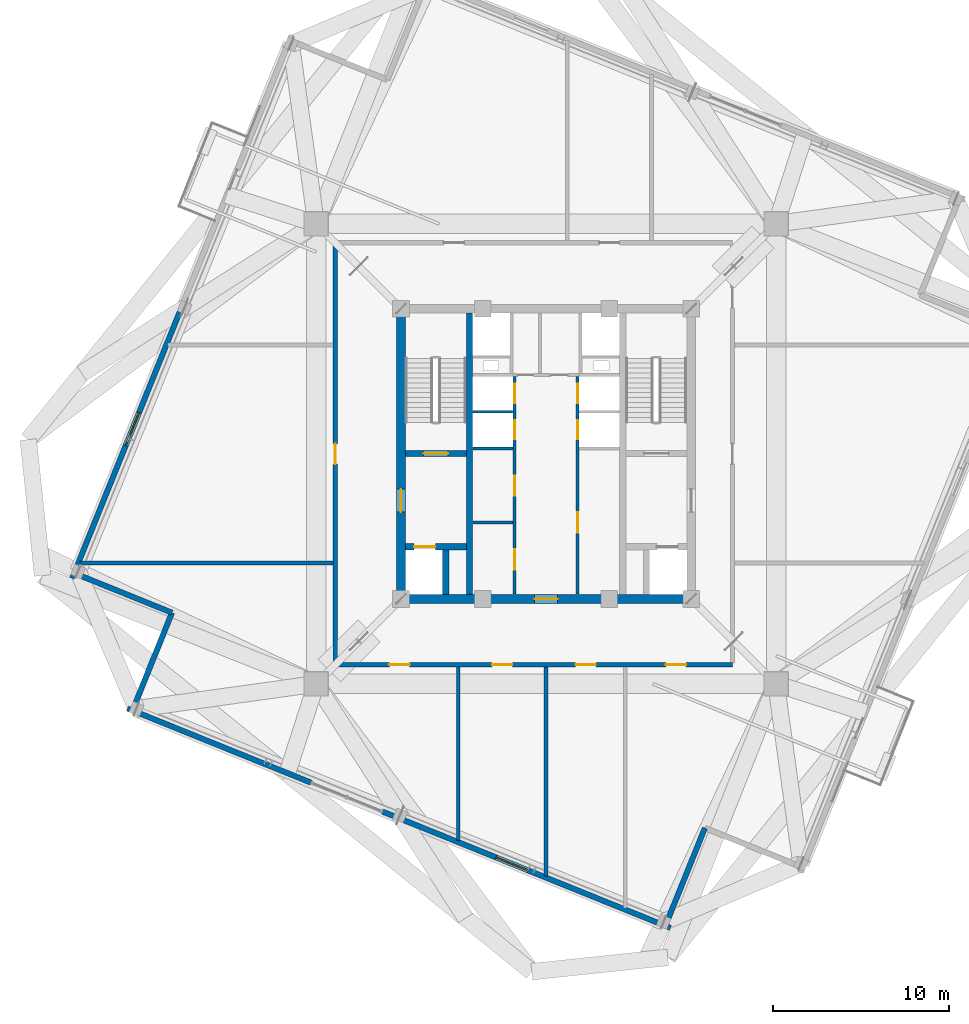
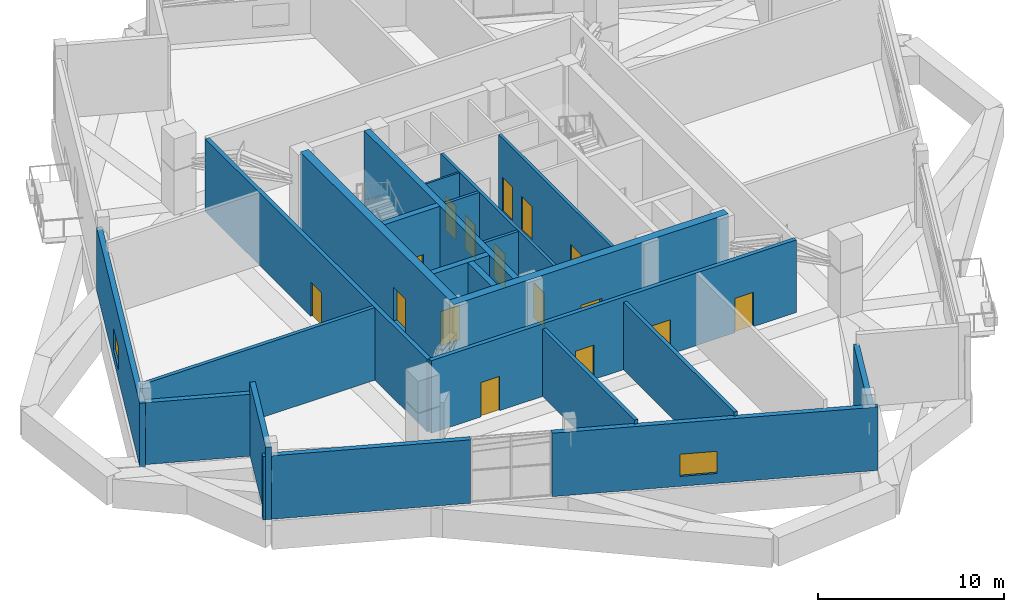
# One storey, part 15 of 20: 22 walls, 16 doors, 2 windows, 18 openings.
"""IFC4 building model written with IfcOpenShell, lengths in metres."""

from ifc_helpers import new_model, si_unit, direction, frame, frame_2d, origin, place, context, subcontext, project, spatial, rectangle, extrude, source, transform, mapped, material, layer, layer_set, type_object, element, fill, save


model = new_model("IFC4")

# Units and contexts
model_context = context("Model", 3, precision=1e-05, world=origin(), true_north=direction((0.0, 1.0)))
body_context = subcontext(model_context, "Body", "Model", "MODEL_VIEW")
ifc_project = project(units=[si_unit("LENGTHUNIT", "METRE"), si_unit("AREAUNIT", "SQUARE_METRE"), si_unit("VOLUMEUNIT", "CUBIC_METRE"), si_unit("PLANEANGLEUNIT", "RADIAN"), si_unit("MASSUNIT", "GRAM", prefix="KILO"), si_unit("THERMODYNAMICTEMPERATUREUNIT", "KELVIN")], contexts=[model_context])

# Site, building, storey
site_placement = place(None, origin())
site = spatial("IfcSite", under=ifc_project, at=site_placement, CompositionType="ELEMENT")
building_placement = place(site_placement, origin())
building = spatial("IfcBuilding", under=site, at=building_placement, Name="Kosmvard Interchange Tower", CompositionType="ELEMENT")
storey_placement = place(building_placement, frame((0.0, 0.0, 260.199951171875)))
storey = spatial("IfcBuildingStorey", under=building, at=storey_placement, Name="L63", CompositionType="ELEMENT", Elevation=260.199951171875)

# Wall, openings, doors
ifc_material_1 = material(Name="Fire-rated gypsum partition system")
ifc_layer_1 = layer(ifc_material_1, 0.179931640625, Name="Fire-rated gypsum partition system")
ifc_layer_set_1 = layer_set([ifc_layer_1], Name="Fire-rated gypsum partition system")
wall_type_1 = type_object("IfcWallType", Name="Corridor & Hotel Compartment Partition 180", PredefinedType="PARTITIONING", material=ifc_layer_set_1)
wall_1_placement = place(storey_placement, frame((-1.7900390625, -7.97998046875, 0.0), z_axis=(0.0, 0.0, 1.0), x_axis=(0.0, 1.0, 0.0)))
wall_1 = element("IfcWall", 1, at=wall_1_placement, inside=storey, type_object=wall_type_1, Name="L63 West Lift Bank Front Wall", PredefinedType="PARTITIONING", context=body_context, shape_type="SweptSolid", body=[
    extrude(rectangle(XDim=12.3798828125, YDim=0.179931640625, at=frame_2d((6.18994140625, 0.0))), origin(), (0.0, 0.0, 1.0), 4.75),
])
opening_1_placement = place(wall_1_placement, frame((8.800048828125, 0.0, 0.0)))
opening_1 = element("IfcOpeningElement", 2, at=opening_1_placement, cuts=wall_1, Name="Opening LD-PL-H1-L63", PredefinedType="OPENING", context=body_context, shape_type="SweptSolid", body=[
    extrude(rectangle(XDim=1.10009765625, YDim=2.199951171875, at=frame_2d((0.550048828125, 1.10009765625))), frame((0.0, 0.10009765625, 0.0), z_axis=(0.0, -1.0, 0.0), x_axis=(1.0, 0.0, 0.0)), (0.0, 0.0, 1.0), 0.199951171875),
])
opening_2_placement = place(wall_1_placement, frame((10.860107421875, 0.0, 0.0)))
opening_2 = element("IfcOpeningElement", 3, at=opening_2_placement, cuts=wall_1, Name="Opening LD-PL-H2-L63", PredefinedType="OPENING", context=body_context, shape_type="SweptSolid", body=[
    extrude(rectangle(XDim=1.10009765625, YDim=2.199951171875, at=frame_2d((0.550048828125, 1.10009765625))), frame((0.0, 0.10009765625, 0.0), z_axis=(0.0, -1.0, 0.0), x_axis=(1.0, 0.0, 0.0)), (0.0, 0.0, 1.0), 0.199951171875),
])
opening_3_placement = place(wall_1_placement, frame((1.39990234375, 0.0, 0.0)))
opening_3 = element("IfcOpeningElement", 4, at=opening_3_placement, cuts=wall_1, Name="Opening L63-CD1", PredefinedType="OPENING", context=body_context, shape_type="SweptSolid", body=[
    extrude(rectangle(XDim=1.14990234375, YDim=2.25, at=frame_2d((0.574951171875, 1.125))), frame((0.0, 0.10009765625, 0.0), z_axis=(0.0, -1.0, 0.0), x_axis=(1.0, 0.0, 0.0)), (0.0, 0.0, 1.0), 0.199951171875),
])
opening_4_placement = place(wall_1_placement, frame((5.60009765625, 0.0, 0.0)))
opening_4 = element("IfcOpeningElement", 5, at=opening_4_placement, cuts=wall_1, Name="Opening L63-CD2", PredefinedType="OPENING", context=body_context, shape_type="SweptSolid", body=[
    extrude(rectangle(XDim=1.14990234375, YDim=2.25, at=frame_2d((0.574951171875, 1.125))), frame((0.0, 0.10009765625, 0.0), z_axis=(0.0, -1.0, 0.0), x_axis=(1.0, 0.0, 0.0)), (0.0, 0.0, 1.0), 0.199951171875),
])
ifc_material_2 = material(Name="Painted fire-rated steel leaf", Category="steel")
door_type_1 = type_object("IfcDoorType", Name="Plant & Riser Fire Door 1150x2250 EI60", OperationType="NOTDEFINED", PredefinedType="DOOR", material=ifc_material_2)
shared_shape_1 = source(origin(), body_context, "Body", "SweptSolid", [
    extrude(rectangle(XDim=1.14990234375, YDim=2.25, at=frame_2d((0.574951171875, 1.125))), frame((0.0, 0.02490234375, 0.0), z_axis=(0.0, -1.0, 0.0), x_axis=(1.0, 0.0, 0.0)), (0.0, 0.0, 1.0), 0.050048828125),
])
door_1_placement = place(opening_3_placement, origin())
door_1 = element("IfcDoor", 6, at=door_1_placement, inside=storey, type_object=door_type_1, Name="L63 Core Archive Door", OperationType="SINGLE_SWING_LEFT", OverallHeight=2.25, OverallWidth=1.14990234375, PredefinedType="DOOR", context=body_context, shape_type="MappedRepresentation", body=[
    mapped(shared_shape_1, transform((0.0, 0.0, 0.0), scale=1.0)),
])
fill(opening_3, door_1)
door_2_placement = place(opening_4_placement, origin())
door_2 = element("IfcDoor", 7, at=door_2_placement, inside=storey, type_object=door_type_1, Name="L63 Mid Core Housekeeping Door", OperationType="SINGLE_SWING_RIGHT", OverallHeight=2.25, OverallWidth=1.14990234375, PredefinedType="DOOR", context=body_context, shape_type="MappedRepresentation", body=[
    mapped(shared_shape_1, transform((0.0, 0.0, 0.0), scale=1.0)),
])
fill(opening_4, door_2)
ifc_material_3 = material(Name="Brushed stainless steel sliding leaf", Category="steel")
door_type_2 = type_object("IfcDoorType", Name="Passenger Lift Sliding Landing Door 1100x2200 EI60", OperationType="DOUBLE_DOOR_SLIDING", PredefinedType="DOOR", material=ifc_material_3)
shared_shape_2 = source(origin(), body_context, "Body", "SweptSolid", [
    extrude(rectangle(XDim=1.10009765625, YDim=2.199951171875, at=frame_2d((0.550048828125, 1.10009765625))), frame((0.0, 0.02490234375, 0.0), z_axis=(0.0, -1.0, 0.0), x_axis=(1.0, 0.0, 0.0)), (0.0, 0.0, 1.0), 0.050048828125),
])
door_3_placement = place(opening_1_placement, frame((1.10009765625, 0.0, 0.0), z_axis=(0.0, 0.0, 1.0), x_axis=(-1.0, 0.0, 0.0)))
door_3 = element("IfcDoor", 8, at=door_3_placement, inside=storey, type_object=door_type_2, Name="Lift PL-H1 Landing Door L63", OperationType="DOUBLE_DOOR_SLIDING", OverallHeight=2.199951171875, OverallWidth=1.10009765625, PredefinedType="DOOR", context=body_context, shape_type="MappedRepresentation", body=[
    mapped(shared_shape_2, transform((0.0, 0.0, 0.0), scale=1.0)),
])
fill(opening_1, door_3)
door_4_placement = place(opening_2_placement, frame((1.10009765625, 0.0, 0.0), z_axis=(0.0, 0.0, 1.0), x_axis=(-1.0, 0.0, 0.0)))
door_4 = element("IfcDoor", 9, at=door_4_placement, inside=storey, type_object=door_type_2, Name="Lift PL-H2 Landing Door L63", OperationType="DOUBLE_DOOR_SLIDING", OverallHeight=2.199951171875, OverallWidth=1.10009765625, PredefinedType="DOOR", context=body_context, shape_type="MappedRepresentation", body=[
    mapped(shared_shape_2, transform((0.0, 0.0, 0.0), scale=1.0)),
])
fill(opening_2, door_4)

wall_2_placement = place(storey_placement, frame((1.7900390625, -7.97998046875, 0.0), z_axis=(0.0, 0.0, 1.0), x_axis=(0.0, 1.0, 0.0)))
wall_2 = element("IfcWall", 10, at=wall_2_placement, inside=storey, type_object=wall_type_1, Name="L63 East Lift Bank Front Wall", PredefinedType="PARTITIONING", context=body_context, shape_type="SweptSolid", body=[
    extrude(rectangle(XDim=12.3798828125, YDim=0.179931640625, at=frame_2d((6.18994140625, 0.0))), origin(), (0.0, 0.0, 1.0), 4.75),
])
opening_5_placement = place(wall_2_placement, frame((8.800048828125, 0.0, 0.0)))
opening_5 = element("IfcOpeningElement", 11, at=opening_5_placement, cuts=wall_2, Name="Opening LD-PL-H3-L63", PredefinedType="OPENING", context=body_context, shape_type="SweptSolid", body=[
    extrude(rectangle(XDim=1.10009765625, YDim=2.199951171875, at=frame_2d((0.550048828125, 1.10009765625))), frame((0.0, 0.10009765625, 0.0), z_axis=(0.0, -1.0, 0.0), x_axis=(1.0, 0.0, 0.0)), (0.0, 0.0, 1.0), 0.199951171875),
])
opening_6_placement = place(wall_2_placement, frame((10.860107421875, 0.0, 0.0)))
opening_6 = element("IfcOpeningElement", 12, at=opening_6_placement, cuts=wall_2, Name="Opening LD-PL-H4-L63", PredefinedType="OPENING", context=body_context, shape_type="SweptSolid", body=[
    extrude(rectangle(XDim=1.10009765625, YDim=2.199951171875, at=frame_2d((0.550048828125, 1.10009765625))), frame((0.0, 0.10009765625, 0.0), z_axis=(0.0, -1.0, 0.0), x_axis=(1.0, 0.0, 0.0)), (0.0, 0.0, 1.0), 0.199951171875),
])
opening_7_placement = place(wall_2_placement, frame((3.5, 0.0, 0.0)))
opening_7 = element("IfcOpeningElement", 13, at=opening_7_placement, cuts=wall_2, Name="Opening L63-CD3", PredefinedType="OPENING", context=body_context, shape_type="SweptSolid", body=[
    extrude(rectangle(XDim=1.14990234375, YDim=2.25, at=frame_2d((0.574951171875, 1.125))), frame((0.0, 0.10009765625, 0.0), z_axis=(0.0, -1.0, 0.0), x_axis=(1.0, 0.0, 0.0)), (0.0, 0.0, 1.0), 0.199951171875),
])
door_5_placement = place(opening_7_placement, frame((1.14990234375, 0.0, 0.0), z_axis=(0.0, 0.0, 1.0), x_axis=(-1.0, 0.0, 0.0)))
door_5 = element("IfcDoor", 14, at=door_5_placement, inside=storey, type_object=door_type_1, Name="L63 Core Data Switch Door", OperationType="SINGLE_SWING_LEFT", OverallHeight=2.25, OverallWidth=1.14990234375, PredefinedType="DOOR", context=body_context, shape_type="MappedRepresentation", body=[
    mapped(shared_shape_1, transform((0.0, 0.0, 0.0), scale=1.0)),
])
fill(opening_7, door_5)
door_6_placement = place(opening_5_placement, origin())
door_6 = element("IfcDoor", 15, at=door_6_placement, inside=storey, type_object=door_type_2, Name="Lift PL-H3 Landing Door L63", OperationType="DOUBLE_DOOR_SLIDING", OverallHeight=2.199951171875, OverallWidth=1.10009765625, PredefinedType="DOOR", context=body_context, shape_type="MappedRepresentation", body=[
    mapped(shared_shape_2, transform((0.0, 0.0, 0.0), scale=1.0)),
])
fill(opening_5, door_6)
door_7_placement = place(opening_6_placement, origin())
door_7 = element("IfcDoor", 16, at=door_7_placement, inside=storey, type_object=door_type_2, Name="Lift PL-H4 Landing Door L63", OperationType="DOUBLE_DOOR_SLIDING", OverallHeight=2.199951171875, OverallWidth=1.10009765625, PredefinedType="DOOR", context=body_context, shape_type="MappedRepresentation", body=[
    mapped(shared_shape_2, transform((0.0, 0.0, 0.0), scale=1.0)),
])
fill(opening_6, door_7)

ifc_material_4 = material(Name="Concrete blockwork masonry", Category="masonry")
ifc_layer_2 = layer(ifc_material_4, 0.25, Name="Concrete blockwork masonry")
ifc_layer_set_2 = layer_set([ifc_layer_2], Name="Concrete blockwork masonry")
wall_type_2 = type_object("IfcWallType", Name="Exit Passage & Firefighting Lobby Wall 250", PredefinedType="PARTITIONING", material=ifc_layer_set_2)
wall_3_placement = place(storey_placement, frame((-12.0, -12.0, 0.0), z_axis=(0.0, 0.0, 1.0), x_axis=(1.0, 0.0, 0.0)))
wall_3 = element("IfcWall", 17, at=wall_3_placement, inside=storey, type_object=wall_type_2, Name="L63 Corridor Wall CS", PredefinedType="PARTITIONING", context=body_context, shape_type="SweptSolid", body=[
    extrude(rectangle(XDim=22.60009765625, YDim=0.25, at=frame_2d((11.300048828125, 0.0))), origin(), (0.0, 0.0, 1.0), 4.75),
])
opening_8_placement = place(wall_3_placement, frame((18.810546875, 0.0, 0.0)))
opening_8 = element("IfcOpeningElement", 18, at=opening_8_placement, cuts=wall_3, Name="Opening L63-D05", PredefinedType="OPENING", context=body_context, shape_type="SweptSolid", body=[
    extrude(rectangle(XDim=1.14990234375, YDim=2.25, at=frame_2d((0.574951171875, 1.125))), frame((0.0, 0.135009765625, 0.0), z_axis=(0.0, -1.0, 0.0), x_axis=(1.0, 0.0, 0.0)), (0.0, 0.0, 1.0), 0.27001953125),
])
opening_9_placement = place(wall_3_placement, frame((13.675048828125, 0.0, 0.0)))
opening_9 = element("IfcOpeningElement", 19, at=opening_9_placement, cuts=wall_3, Name="Opening L63-D06", PredefinedType="OPENING", context=body_context, shape_type="SweptSolid", body=[
    extrude(rectangle(XDim=1.14990234375, YDim=2.25, at=frame_2d((0.574951171875, 1.125))), frame((0.0, 0.135009765625, 0.0), z_axis=(0.0, -1.0, 0.0), x_axis=(1.0, 0.0, 0.0)), (0.0, 0.0, 1.0), 0.27001953125),
])
opening_10_placement = place(wall_3_placement, frame((8.925048828125, 0.0, 0.0)))
opening_10 = element("IfcOpeningElement", 20, at=opening_10_placement, cuts=wall_3, Name="Opening L63-D07", PredefinedType="OPENING", context=body_context, shape_type="SweptSolid", body=[
    extrude(rectangle(XDim=1.14990234375, YDim=2.25, at=frame_2d((0.574951171875, 1.125))), frame((0.0, 0.135009765625, 0.0), z_axis=(0.0, -1.0, 0.0), x_axis=(1.0, 0.0, 0.0)), (0.0, 0.0, 1.0), 0.27001953125),
])
opening_11_placement = place(wall_3_placement, frame((3.08935546875, 0.0, 0.0)))
opening_11 = element("IfcOpeningElement", 21, at=opening_11_placement, cuts=wall_3, Name="Opening L63-D08", PredefinedType="OPENING", context=body_context, shape_type="SweptSolid", body=[
    extrude(rectangle(XDim=1.14990234375, YDim=2.25, at=frame_2d((0.574951171875, 1.125))), frame((0.0, 0.135009765625, 0.0), z_axis=(0.0, -1.0, 0.0), x_axis=(1.0, 0.0, 0.0)), (0.0, 0.0, 1.0), 0.27001953125),
])
door_8_placement = place(opening_8_placement, frame((1.14990234375, 0.0, 0.0), z_axis=(0.0, 0.0, 1.0), x_axis=(-1.0, 0.0, 0.0)))
door_8 = element("IfcDoor", 22, at=door_8_placement, inside=storey, type_object=door_type_1, Name="L63 High-Zone Transformer Plant Room Door", OperationType="SINGLE_SWING_LEFT", OverallHeight=2.25, OverallWidth=1.14990234375, PredefinedType="DOOR", context=body_context, shape_type="MappedRepresentation", body=[
    mapped(shared_shape_1, transform((0.0, 0.0, 0.0), scale=1.0)),
])
fill(opening_8, door_8)
door_9_placement = place(opening_9_placement, frame((1.14990234375, 0.0, 0.0), z_axis=(0.0, 0.0, 1.0), x_axis=(-1.0, 0.0, 0.0)))
door_9 = element("IfcDoor", 23, at=door_9_placement, inside=storey, type_object=door_type_1, Name="L63 Emergency UPS Battery Plant Room Door", OperationType="SINGLE_SWING_RIGHT", OverallHeight=2.25, OverallWidth=1.14990234375, PredefinedType="DOOR", context=body_context, shape_type="MappedRepresentation", body=[
    mapped(shared_shape_1, transform((0.0, 0.0, 0.0), scale=1.0)),
])
fill(opening_9, door_9)
door_10_placement = place(opening_10_placement, frame((1.14990234375, 0.0, 0.0), z_axis=(0.0, 0.0, 1.0), x_axis=(-1.0, 0.0, 0.0)))
door_10 = element("IfcDoor", 24, at=door_10_placement, inside=storey, type_object=door_type_1, Name="L63 Pressurisation Control Plant Room Door", OperationType="SINGLE_SWING_LEFT", OverallHeight=2.25, OverallWidth=1.14990234375, PredefinedType="DOOR", context=body_context, shape_type="MappedRepresentation", body=[
    mapped(shared_shape_1, transform((0.0, 0.0, 0.0), scale=1.0)),
])
fill(opening_10, door_10)
door_11_placement = place(opening_11_placement, frame((1.14990234375, 0.0, 0.0), z_axis=(0.0, 0.0, 1.0), x_axis=(-1.0, 0.0, 0.0)))
door_11 = element("IfcDoor", 25, at=door_11_placement, inside=storey, type_object=door_type_1, Name="L63 Dedicated Outdoor Air Fan Plant Room Door", OperationType="SINGLE_SWING_RIGHT", OverallHeight=2.25, OverallWidth=1.14990234375, PredefinedType="DOOR", context=body_context, shape_type="MappedRepresentation", body=[
    mapped(shared_shape_1, transform((0.0, 0.0, 0.0), scale=1.0)),
])
fill(opening_11, door_11)

# Wall, opening, door
wall_4_placement = place(storey_placement, frame((-12.0, -11.89990234375, 0.0), z_axis=(0.0, 0.0, 1.0), x_axis=(0.0, 1.0, 0.0)))
wall_4 = element("IfcWall", 26, at=wall_4_placement, inside=storey, type_object=wall_type_2, Name="L63 Corridor Wall CW", PredefinedType="PARTITIONING", context=body_context, shape_type="SweptSolid", body=[
    extrude(rectangle(XDim=23.7998046875, YDim=0.25, at=frame_2d((11.89990234375, 0.0))), origin(), (0.0, 0.0, 1.0), 4.75),
])
opening_12_placement = place(wall_4_placement, frame((11.324951171875, 0.0, 0.0)))
opening_12 = element("IfcOpeningElement", 27, at=opening_12_placement, cuts=wall_4, Name="Opening L63-D09", PredefinedType="OPENING", context=body_context, shape_type="SweptSolid", body=[
    extrude(rectangle(XDim=1.14990234375, YDim=2.25, at=frame_2d((0.574951171875, 1.125))), frame((0.0, 0.135009765625, 0.0), z_axis=(0.0, -1.0, 0.0), x_axis=(1.0, 0.0, 0.0)), (0.0, 0.0, 1.0), 0.27001953125),
])
door_12_placement = place(opening_12_placement, origin())
door_12 = element("IfcDoor", 28, at=door_12_placement, inside=storey, type_object=door_type_1, Name="L63 Refuge Area West Door", OperationType="SINGLE_SWING_LEFT", OverallHeight=2.25, OverallWidth=1.14990234375, PredefinedType="DOOR", context=body_context, shape_type="MappedRepresentation", body=[
    mapped(shared_shape_1, transform((0.0, 0.0, 0.0), scale=1.0)),
])
fill(opening_12, door_12)

# Walls
ifc_layer_3 = layer(ifc_material_4, 0.179931640625, Name="Concrete blockwork masonry")
ifc_layer_set_3 = layer_set([ifc_layer_3], Name="Concrete blockwork masonry")
wall_type_3 = type_object("IfcWallType", Name="Riser & Lift Bank Divider Wall 180", PredefinedType="PARTITIONING", material=ifc_layer_set_3)
for number, where, z_axis, x_axis, name in (
    (29, (-4.169921875, -3.89990234375, 0.0), (0.0, 0.0, 1.0), (1.0, 0.0, 0.0), "L63 West Bank Divider BD1"),
    (30, (-4.169921875, 0.300048828125, 0.0), (0.0, 0.0, 1.0), (1.0, 0.0, 0.0), "L63 West Bank Divider BD2"),
):
    element("IfcWall", number, at=place(storey_placement, frame(where, z_axis=z_axis, x_axis=x_axis)), inside=storey, type_object=wall_type_3, Name=name, PredefinedType="PARTITIONING", context=body_context, shape_type="SweptSolid", body=[
        extrude(rectangle(XDim=2.280029296875, YDim=0.179931640625, at=frame_2d((1.14013671875, 0.0))), origin(), (0.0, 0.0, 1.0), 4.75),
    ])
ifc_layer_4 = layer(ifc_material_4, 0.219970703125, Name="Concrete blockwork masonry")
ifc_layer_set_4 = layer_set([ifc_layer_4], Name="Concrete blockwork masonry")
wall_type_4 = type_object("IfcWallType", Name="Riser & Plant Enclosure Wall 220", PredefinedType="PARTITIONING", material=ifc_layer_set_4)
wall_5_placement = place(storey_placement, frame((0.0, -12.1298828125, 0.0), z_axis=(0.0, 0.0, 1.0), x_axis=(0.0, -1.0, 0.0)))
element("IfcWall", 31, at=wall_5_placement, inside=storey, type_object=wall_type_4, Name="L63 Room Partition 06.1", PredefinedType="PARTITIONING", context=body_context, shape_type="SweptSolid", body=[
    extrude(rectangle(XDim=11.872802734375, YDim=0.219970703125, at=frame_2d((5.9365234375, 0.0))), origin(), (0.0, 0.0, 1.0), 4.420166015625),
])
wall_6_placement = place(storey_placement, frame((-5.0, -12.1298828125, 0.0), z_axis=(0.0, 0.0, 1.0), x_axis=(0.0, -1.0, 0.0)))
element("IfcWall", 32, at=wall_6_placement, inside=storey, type_object=wall_type_4, Name="L63 Room Partition 07.1", PredefinedType="PARTITIONING", context=body_context, shape_type="SweptSolid", body=[
    extrude(rectangle(XDim=9.852783203125, YDim=0.219970703125, at=frame_2d((4.92626953125, 0.0))), origin(), (0.0, 0.0, 1.0), 4.420166015625),
])
wall_7_placement = place(storey_placement, frame((-12.1298828125, -6.199951171875, 0.0), z_axis=(0.0, 0.0, 1.0), x_axis=(-1.0, 0.0, 0.0)))
element("IfcWall", 33, at=wall_7_placement, inside=storey, type_object=wall_type_4, Name="L63 Room Partition 08.1", PredefinedType="PARTITIONING", context=body_context, shape_type="SweptSolid", body=[
    extrude(rectangle(XDim=14.3779296875, YDim=0.219970703125, at=frame_2d((7.18896484375, 0.0))), origin(), (0.0, 0.0, 1.0), 4.75),
])
ifc_material_5 = material(Name="Fire-rated gypsum shaftwall system")
ifc_layer_5 = layer(ifc_material_5, 0.1201171875, Name="Fire-rated gypsum shaftwall system")
ifc_layer_set_5 = layer_set([ifc_layer_5], Name="Fire-rated gypsum shaftwall system")
wall_type_5 = type_object("IfcWallType", Name="Shaft & Riser Fire Partition 120 EI60", PredefinedType="PARTITIONING", material=ifc_layer_set_5)
wall_8_placement = place(storey_placement, frame((-4.159912109375, 2.39990234375, 0.0), z_axis=(0.0, 0.0, 1.0), x_axis=(1.0, 0.0, 0.0)))
element("IfcWall", 34, at=wall_8_placement, inside=storey, type_object=wall_type_5, Name="L63 Shaft Divider PL-H1", PredefinedType="PARTITIONING", context=body_context, shape_type="SweptSolid", body=[
    extrude(rectangle(XDim=2.260009765625, YDim=0.1201171875, at=frame_2d((1.1298828125, 0.0))), origin(), (0.0, 0.0, 1.0), 4.75),
])
ifc_material_6 = material(Name="Concrete C60/75", Category="concrete")
ifc_layer_6 = layer(ifc_material_6, 0.360107421875, Name="Concrete C60/75")
ifc_layer_set_6 = layer_set([ifc_layer_6], Name="Concrete C60/75")
wall_type_6 = type_object("IfcWallType", Name="Stair & Lift Shaft Shear Wall 360 C60/75", PredefinedType="SHEAR", material=ifc_layer_set_6)
wall_9_placement = place(storey_placement, frame((-4.360107421875, -8.0, 0.0), z_axis=(0.0, 0.0, 1.0), x_axis=(0.0, 1.0, 0.0)))
element("IfcWall", 35, at=wall_9_placement, inside=storey, type_object=wall_type_6, Name="L63 Shaft Shear Wall SW-W", PredefinedType="SHEAR", context=body_context, shape_type="SweptSolid", body=[
    extrude(rectangle(XDim=16.0, YDim=0.360107421875, at=frame_2d((8.0, 0.0))), origin(), (0.0, 0.0, 1.0), 5.0),
])

# Wall, opening, door
wall_10_placement = place(storey_placement, frame((-8.0, 0.02001953125, 0.0), z_axis=(0.0, 0.0, 1.0), x_axis=(1.0, 0.0, 0.0)))
wall_10 = element("IfcWall", 36, at=wall_10_placement, inside=storey, type_object=wall_type_6, Name="L63 Shaft Shear Wall SW-ST1", PredefinedType="SHEAR", context=body_context, shape_type="SweptSolid", body=[
    extrude(rectangle(XDim=3.4599609375, YDim=0.360107421875, at=frame_2d((1.72998046875, 0.0))), origin(), (0.0, 0.0, 1.0), 5.0),
])
opening_13_placement = place(wall_10_placement, frame((1.030029296875, 0.0, 0.0)))
opening_13 = element("IfcOpeningElement", 37, at=opening_13_placement, cuts=wall_10, Name="Opening L63-SD1", PredefinedType="OPENING", context=body_context, shape_type="SweptSolid", body=[
    extrude(rectangle(XDim=1.39990234375, YDim=2.199951171875, at=frame_2d((0.699951171875, 1.10009765625))), frame((0.0, 0.18994140625, 0.0), z_axis=(0.0, -1.0, 0.0), x_axis=(1.0, 0.0, 0.0)), (0.0, 0.0, 1.0), 0.380126953125),
])
door_type_3 = type_object("IfcDoorType", Name="Protected Stair Door 1400x2200 FD60S", OperationType="NOTDEFINED", PredefinedType="DOOR", material=ifc_material_2)
shared_shape_3 = source(origin(), body_context, "Body", "SweptSolid", [
    extrude(rectangle(XDim=1.39990234375, YDim=2.199951171875, at=frame_2d((0.699951171875, 1.10009765625))), frame((0.0, 0.02490234375, 0.0), z_axis=(0.0, -1.0, 0.0), x_axis=(1.0, 0.0, 0.0)), (0.0, 0.0, 1.0), 0.050048828125),
])
door_13_placement = place(opening_13_placement, origin())
door_13 = element("IfcDoor", 38, at=door_13_placement, inside=storey, type_object=door_type_3, Name="L63 Stair ST-1 Enclosure Door", OperationType="SINGLE_SWING_LEFT", OverallHeight=2.199951171875, OverallWidth=1.39990234375, PredefinedType="DOOR", context=body_context, shape_type="MappedRepresentation", body=[
    mapped(shared_shape_3, transform((0.0, 0.0, 0.0), scale=1.0)),
])
fill(opening_13, door_13)

wall_11_placement = place(storey_placement, frame((-8.0, -5.280029296875, 0.0), z_axis=(0.0, 0.0, 1.0), x_axis=(1.0, 0.0, 0.0)))
wall_11 = element("IfcWall", 39, at=wall_11_placement, inside=storey, type_object=wall_type_6, Name="L63 Shaft Shear Wall SW-FF1", PredefinedType="SHEAR", context=body_context, shape_type="SweptSolid", body=[
    extrude(rectangle(XDim=3.4599609375, YDim=0.360107421875, at=frame_2d((1.72998046875, 0.0))), origin(), (0.0, 0.0, 1.0), 5.0),
])
opening_14_placement = place(wall_11_placement, frame((0.5, 0.0, 0.0)))
opening_14 = element("IfcOpeningElement", 40, at=opening_14_placement, cuts=wall_11, Name="Opening LD-FF-1-L63", PredefinedType="OPENING", context=body_context, shape_type="SweptSolid", body=[
    extrude(rectangle(XDim=1.199951171875, YDim=2.25, at=frame_2d((0.60009765625, 1.125))), frame((0.0, 0.18994140625, 0.0), z_axis=(0.0, -1.0, 0.0), x_axis=(1.0, 0.0, 0.0)), (0.0, 0.0, 1.0), 0.380126953125),
])
door_type_4 = type_object("IfcDoorType", Name="Firefighting Lift Sliding Landing Door 1200x2250 EI120", OperationType="DOUBLE_DOOR_SLIDING", PredefinedType="DOOR", material=ifc_material_3)
shared_shape_4 = source(origin(), body_context, "Body", "SweptSolid", [
    extrude(rectangle(XDim=1.199951171875, YDim=2.25, at=frame_2d((0.60009765625, 1.125))), frame((0.0, 0.02490234375, 0.0), z_axis=(0.0, -1.0, 0.0), x_axis=(1.0, 0.0, 0.0)), (0.0, 0.0, 1.0), 0.050048828125),
])
door_14_placement = place(opening_14_placement, origin())
door_14 = element("IfcDoor", 41, at=door_14_placement, inside=storey, type_object=door_type_4, Name="Lift FF-1 Landing Door L63", OperationType="DOUBLE_DOOR_SLIDING", OverallHeight=2.25, OverallWidth=1.199951171875, PredefinedType="DOOR", context=body_context, shape_type="MappedRepresentation", body=[
    mapped(shared_shape_4, transform((0.0, 0.0, 0.0), scale=1.0)),
])
fill(opening_14, door_14)

# Wall
wall_12_placement = place(storey_placement, frame((-5.7099609375, -8.0, 0.0), z_axis=(0.0, 0.0, 1.0), x_axis=(0.0, 1.0, 0.0)))
element("IfcWall", 42, at=wall_12_placement, inside=storey, type_object=wall_type_6, Name="L63 Shaft Shear Wall SW-SM1", PredefinedType="SHEAR", context=body_context, shape_type="SweptSolid", body=[
    extrude(rectangle(XDim=2.5400390625, YDim=0.360107421875, at=frame_2d((1.27001953125, 0.0))), origin(), (0.0, 0.0, 1.0), 5.0),
])

# Wall, opening, door
ifc_layer_7 = layer(ifc_material_6, 0.5, Name="Concrete C60/75")
ifc_layer_set_7 = layer_set([ifc_layer_7], Name="Concrete C60/75")
wall_type_7 = type_object("IfcWallType", Name="Upper Core Shear Wall 500 C60/75", PredefinedType="SHEAR", material=ifc_layer_set_7)
wall_13_placement = place(storey_placement, frame((-8.5, -8.25, 0.0), z_axis=(0.0, 0.0, 1.0), x_axis=(1.0, 0.0, 0.0)))
wall_13 = element("IfcWall", 43, at=wall_13_placement, inside=storey, type_object=wall_type_7, Name="L63 Core Shear Wall CW-S", PredefinedType="SHEAR", context=body_context, shape_type="SweptSolid", body=[
    extrude(rectangle(XDim=17.0, YDim=0.5, at=frame_2d((8.5, 0.0))), origin(), (0.0, 0.0, 1.0), 5.0),
])
opening_15_placement = place(wall_13_placement, frame((7.85009765625, 0.0, 0.0)))
opening_15 = element("IfcOpeningElement", 44, at=opening_15_placement, cuts=wall_13, Name="Opening L63-LD0", PredefinedType="OPENING", context=body_context, shape_type="SweptSolid", body=[
    extrude(rectangle(XDim=1.300048828125, YDim=2.199951171875, at=frame_2d((0.64990234375, 1.10009765625))), frame((0.0, 0.260009765625, 0.0), z_axis=(0.0, -1.0, 0.0), x_axis=(1.0, 0.0, 0.0)), (0.0, 0.0, 1.0), 0.52001953125),
])
door_type_5 = type_object("IfcDoorType", Name="Firefighting Lobby Door 1300x2200 EI60", OperationType="NOTDEFINED", PredefinedType="DOOR", material=ifc_material_2)
shared_shape_5 = source(origin(), body_context, "Body", "SweptSolid", [
    extrude(rectangle(XDim=1.300048828125, YDim=2.199951171875, at=frame_2d((0.64990234375, 1.10009765625))), frame((0.0, 0.02490234375, 0.0), z_axis=(0.0, -1.0, 0.0), x_axis=(1.0, 0.0, 0.0)), (0.0, 0.0, 1.0), 0.050048828125),
])
door_15_placement = place(opening_15_placement, frame((1.300048828125, 0.0, 0.0), z_axis=(0.0, 0.0, 1.0), x_axis=(-1.0, 0.0, 0.0)))
door_15 = element("IfcDoor", 45, at=door_15_placement, inside=storey, type_object=door_type_5, Name="L63 Passenger Lift Lobby South Door", OperationType="SINGLE_SWING_LEFT", OverallHeight=2.199951171875, OverallWidth=1.300048828125, PredefinedType="DOOR", context=body_context, shape_type="MappedRepresentation", body=[
    mapped(shared_shape_5, transform((0.0, 0.0, 0.0), scale=1.0)),
])
fill(opening_15, door_15)

wall_14_placement = place(storey_placement, frame((-8.25, -8.0, 0.0), z_axis=(0.0, 0.0, 1.0), x_axis=(0.0, 1.0, 0.0)))
wall_14 = element("IfcWall", 46, at=wall_14_placement, inside=storey, type_object=wall_type_7, Name="L63 Core Shear Wall CW-W", PredefinedType="SHEAR", context=body_context, shape_type="SweptSolid", body=[
    extrude(rectangle(XDim=16.0, YDim=0.5, at=frame_2d((8.0, 0.0))), origin(), (0.0, 0.0, 1.0), 5.0),
])
opening_16_placement = place(wall_14_placement, frame((4.68994140625, 0.0, 0.0)))
opening_16 = element("IfcOpeningElement", 47, at=opening_16_placement, cuts=wall_14, Name="Opening L63-FD1", PredefinedType="OPENING", context=body_context, shape_type="SweptSolid", body=[
    extrude(rectangle(XDim=1.300048828125, YDim=2.199951171875, at=frame_2d((0.64990234375, 1.10009765625))), frame((0.0, 0.260009765625, 0.0), z_axis=(0.0, -1.0, 0.0), x_axis=(1.0, 0.0, 0.0)), (0.0, 0.0, 1.0), 0.52001953125),
])
door_16_placement = place(opening_16_placement, frame((1.300048828125, 0.0, 0.0), z_axis=(0.0, 0.0, 1.0), x_axis=(-1.0, 0.0, 0.0)))
door_16 = element("IfcDoor", 48, at=door_16_placement, inside=storey, type_object=door_type_5, Name="L63 Firefighting Lobby West Door", OperationType="SINGLE_SWING_LEFT", OverallHeight=2.199951171875, OverallWidth=1.300048828125, PredefinedType="DOOR", context=body_context, shape_type="MappedRepresentation", body=[
    mapped(shared_shape_5, transform((0.0, 0.0, 0.0), scale=1.0)),
])
fill(opening_16, door_16)

# Walls
ifc_material_7 = material(Name="Precast concrete C45/55", Category="concrete")
ifc_layer_8 = layer(ifc_material_7, 0.31005859375, Name="Precast concrete C45/55")
ifc_layer_set_8 = layer_set([ifc_layer_8], Name="Precast concrete C45/55")
wall_type_8 = type_object("IfcWallType", Name="Upper Tower Precast Pier Wall 310 C45/55", PredefinedType="STANDARD", material=ifc_layer_set_8)
wall_15_placement = place(storey_placement, frame((-26.8408203125, -6.7841796875, 0.0), z_axis=(0.0, 0.0, 1.0), x_axis=(0.927171722085, -0.374636620962, 0.0)))
element("IfcWall", 49, at=wall_15_placement, inside=storey, type_object=wall_type_8, Name="L63 Corner Precast Pier N-NW1", PredefinedType="STANDARD", context=body_context, shape_type="SweptSolid", body=[
    extrude(rectangle(XDim=6.0, YDim=0.31005859375, at=frame_2d((3.0, 0.0))), origin(), (0.0, 0.0, 1.0), 4.050048828125),
])
wall_16_placement = place(storey_placement, frame((-21.27783203125, -9.031982421875, 0.0), z_axis=(0.0, 0.0, 1.0), x_axis=(-0.374602739196, -0.927185411764, 0.0)))
element("IfcWall", 50, at=wall_16_placement, inside=storey, type_object=wall_type_8, Name="L63 Corner Precast Pier N-NW2", PredefinedType="STANDARD", context=body_context, shape_type="SweptSolid", body=[
    extrude(rectangle(XDim=6.155029296875, YDim=0.31005859375, at=frame_2d((3.07763671875, 0.0))), origin(), (0.0, 0.0, 1.0), 4.75),
])
wall_17_placement = place(storey_placement, frame((6.7841796875, -26.8408203125, 0.0), z_axis=(0.0, 0.0, 1.0), x_axis=(0.374636620962, 0.927171722085, 0.0)))
element("IfcWall", 51, at=wall_17_placement, inside=storey, type_object=wall_type_8, Name="L63 Corner Precast Pier N-SW1", PredefinedType="STANDARD", context=body_context, shape_type="SweptSolid", body=[
    extrude(rectangle(XDim=6.0, YDim=0.31005859375, at=frame_2d((3.0, 0.0))), origin(), (0.0, 0.0, 1.0), 4.050048828125),
])

# Wall, opening, window
wall_18_placement = place(storey_placement, frame((-20.718017578125, 8.37060546875, 0.0), z_axis=(0.0, 0.0, 1.0), x_axis=(-0.374600710538, -0.927186231382, 0.0)))
wall_18 = element("IfcWall", 52, at=wall_18_placement, inside=storey, type_object=wall_type_8, Name="L63 Facade Pier Wall NB", PredefinedType="STANDARD", context=body_context, shape_type="SweptSolid", body=[
    extrude(rectangle(XDim=16.655029296875, YDim=0.31005859375, at=frame_2d((8.32763671875, 0.0))), origin(), (0.0, 0.0, 1.0), 4.150146484375),
])
opening_17_placement = place(wall_18_placement, frame((6.49462890625, 0.0, 0.64990234375)))
opening_17 = element("IfcOpeningElement", 53, at=opening_17_placement, cuts=wall_18, Name="Opening L63-WNB", PredefinedType="OPENING", context=body_context, shape_type="SweptSolid", body=[
    extrude(rectangle(XDim=2.0, YDim=1.449951171875, at=frame_2d((1.0, 0.72509765625))), frame((0.0, 0.1650390625, 0.0), z_axis=(0.0, -1.0, 0.0), x_axis=(1.0, 0.0, 0.0)), (0.0, 0.0, 1.0), 0.330078125),
])
ifc_material_8 = material(Name="Low-E solar-control double glazing", Category="glass")
window_type = type_object("IfcWindowType", Name="Transfer Zone Punched Window 2000x1450", PartitioningType="SINGLE_PANEL", PredefinedType="WINDOW", material=ifc_material_8)
shared_shape_6 = source(origin(), body_context, "Body", "SweptSolid", [
    extrude(rectangle(XDim=2.0, YDim=1.449951171875, at=frame_2d((1.0, 0.72509765625))), frame((0.0, 0.030029296875, 0.0), z_axis=(0.0, -1.0, 0.0), x_axis=(1.0, 0.0, 0.0)), (0.0, 0.0, 1.0), 0.06005859375),
])
window_1_placement = place(opening_17_placement, origin())
window_1 = element("IfcWindow", 54, at=window_1_placement, inside=storey, type_object=window_type, Name="L63 Facade Punched Window NB", OverallHeight=1.449951171875, OverallWidth=2.0, PartitioningType="SINGLE_PANEL", PredefinedType="WINDOW", context=body_context, shape_type="MappedRepresentation", body=[
    mapped(shared_shape_6, transform((0.0, 0.0, 0.0), scale=1.0)),
])
fill(opening_17, window_1)

# Wall
wall_19_placement = place(storey_placement, frame((-23.812744140625, -14.478759765625, 0.0), z_axis=(0.0, 0.0, 1.0), x_axis=(0.927178527544, -0.374619777991, 0.0)))
element("IfcWall", 55, at=wall_19_placement, inside=storey, type_object=wall_type_8, Name="L63 Facade Pier Wall WA", PredefinedType="STANDARD", context=body_context, shape_type="SweptSolid", body=[
    extrude(rectangle(XDim=11.2548828125, YDim=0.31005859375, at=frame_2d((5.62744140625, 0.0))), origin(), (0.0, 0.0, 1.0), 4.150146484375),
])

# Wall, opening, window
wall_20_placement = place(storey_placement, frame((-9.2978515625, -20.34326171875, 0.0), z_axis=(0.0, 0.0, 1.0), x_axis=(0.927183654967, -0.374607087443, 0.0)))
wall_20 = element("IfcWall", 56, at=wall_20_placement, inside=storey, type_object=wall_type_8, Name="L63 Facade Pier Wall WB", PredefinedType="STANDARD", context=body_context, shape_type="SweptSolid", body=[
    extrude(rectangle(XDim=17.6552734375, YDim=0.31005859375, at=frame_2d((8.82763671875, 0.0))), origin(), (0.0, 0.0, 1.0), 4.150146484375),
])
opening_18_placement = place(wall_20_placement, frame((6.94482421875, 0.0, 0.64990234375)))
opening_18 = element("IfcOpeningElement", 57, at=opening_18_placement, cuts=wall_20, Name="Opening L63-WWB", PredefinedType="OPENING", context=body_context, shape_type="SweptSolid", body=[
    extrude(rectangle(XDim=2.0, YDim=1.449951171875, at=frame_2d((1.0, 0.72509765625))), frame((0.0, 0.1650390625, 0.0), z_axis=(0.0, -1.0, 0.0), x_axis=(1.0, 0.0, 0.0)), (0.0, 0.0, 1.0), 0.330078125),
])
window_2_placement = place(opening_18_placement, origin())
window_2 = element("IfcWindow", 58, at=window_2_placement, inside=storey, type_object=window_type, Name="L63 Facade Punched Window WB", OverallHeight=1.449951171875, OverallWidth=2.0, PartitioningType="SINGLE_PANEL", PredefinedType="WINDOW", context=body_context, shape_type="MappedRepresentation", body=[
    mapped(shared_shape_6, transform((0.0, 0.0, 0.0), scale=1.0)),
])
fill(opening_18, window_2)

save(model, "model.ifc")
